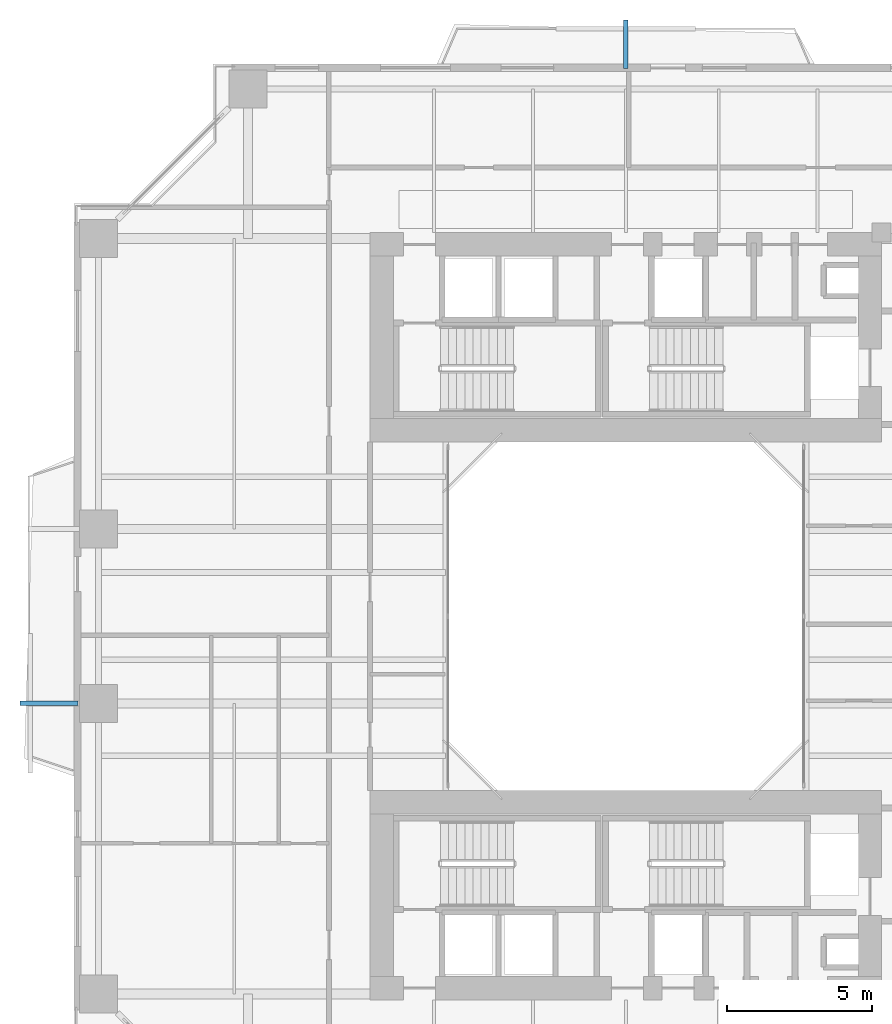
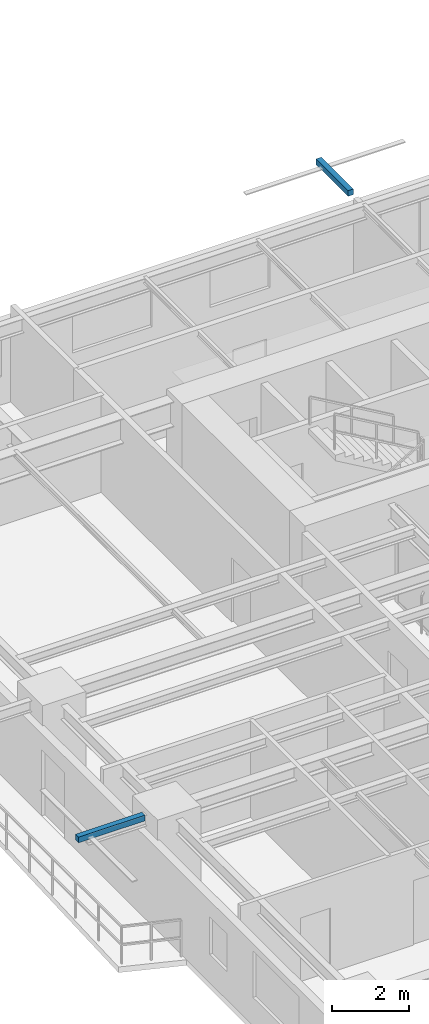
# One storey, part 17 of 22: 2 discrete accessories.
"""IFC4 building model written with IfcOpenShell, lengths in metres."""

from ifc_helpers import new_model, si_unit, direction, frame, origin, origin_2d, place, context, subcontext, project, spatial, rectangle, extrude, source, transform, mapped, material, type_object, element, save


model = new_model("IFC4")

# Units and contexts
model_context = context("Model", 3, precision=1e-05, world=origin(), true_north=direction((0.0, 1.0)))
body_context = subcontext(model_context, "Body", "Model", "MODEL_VIEW")
ifc_project = project(units=[si_unit("LENGTHUNIT", "METRE"), si_unit("AREAUNIT", "SQUARE_METRE"), si_unit("VOLUMEUNIT", "CUBIC_METRE"), si_unit("PLANEANGLEUNIT", "RADIAN"), si_unit("MASSUNIT", "GRAM", prefix="KILO"), si_unit("THERMODYNAMICTEMPERATUREUNIT", "KELVIN"), si_unit("POWERUNIT", "WATT")], contexts=[model_context])

# Site, building, storey
site_placement = place(None, origin())
site = spatial("IfcSite", under=ifc_project, at=site_placement, CompositionType="ELEMENT")
building_placement = place(site_placement, origin())
building = spatial("IfcBuilding", under=site, at=building_placement, Name="Qiaomeng Ring Towers", CompositionType="ELEMENT")
storey_placement = place(building_placement, frame((0.0, 0.0, 23.0)))
storey = spatial("IfcBuildingStorey", under=building, at=storey_placement, Name="L05", CompositionType="ELEMENT", Elevation=23.0)

# Discrete accessories
ifc_material = material(Name="Stainless steel 316", Category="steel")
discrete_accessory_type = type_object("IfcDiscreteAccessoryType", Name="ARC-ACC-BRACKET", PredefinedType="BRACKET", material=ifc_material)
shared_shape_1 = source(origin(), body_context, "Body", "SweptSolid", [
    extrude(rectangle(XDim=0.159912109375, YDim=1.669921875, at=origin_2d()), origin(), (0.0, 0.0, 1.0), 0.179931640625),
])
discrete_accessory_1_placement = place(storey_placement, frame((19.0, 42.68505859375, 2.89990234375), z_axis=(0.0, 0.0, 1.0), x_axis=(1.0, 0.0, 0.0)))
element("IfcDiscreteAccessory", 1, at=discrete_accessory_1_placement, inside=storey, type_object=discrete_accessory_type, Name="L05 Stainless Outer-Skin Tie Bracket N", PredefinedType="BRACKET", context=body_context, shape_type="MappedRepresentation", body=[
    mapped(shared_shape_1, transform((0.0, 0.0, 0.0), x_axis=(1.0, 0.0, 0.0), y_axis=(0.0, 1.0, 0.0), z_axis=(0.0, 0.0, 1.0), scale=1.0)),
])
shared_shape_2 = source(origin(), body_context, "Body", "SweptSolid", [
    extrude(rectangle(XDim=2.0, YDim=0.159912109375, at=origin_2d()), origin(), (0.0, 0.0, 1.0), 0.179931640625),
])
discrete_accessory_2_placement = place(storey_placement, frame((-0.85009765625, 20.0, 2.89990234375), z_axis=(0.0, 0.0, 1.0), x_axis=(1.0, 0.0, 0.0)))
element("IfcDiscreteAccessory", 2, at=discrete_accessory_2_placement, inside=storey, type_object=discrete_accessory_type, Name="L05 Stainless Outer-Skin Tie Bracket W", PredefinedType="BRACKET", context=body_context, shape_type="MappedRepresentation", body=[
    mapped(shared_shape_2, transform((0.0, 0.0, 0.0), x_axis=(1.0, 0.0, 0.0), y_axis=(0.0, 1.0, 0.0), z_axis=(0.0, 0.0, 1.0), scale=1.0)),
])

save(model, "model.ifc")
